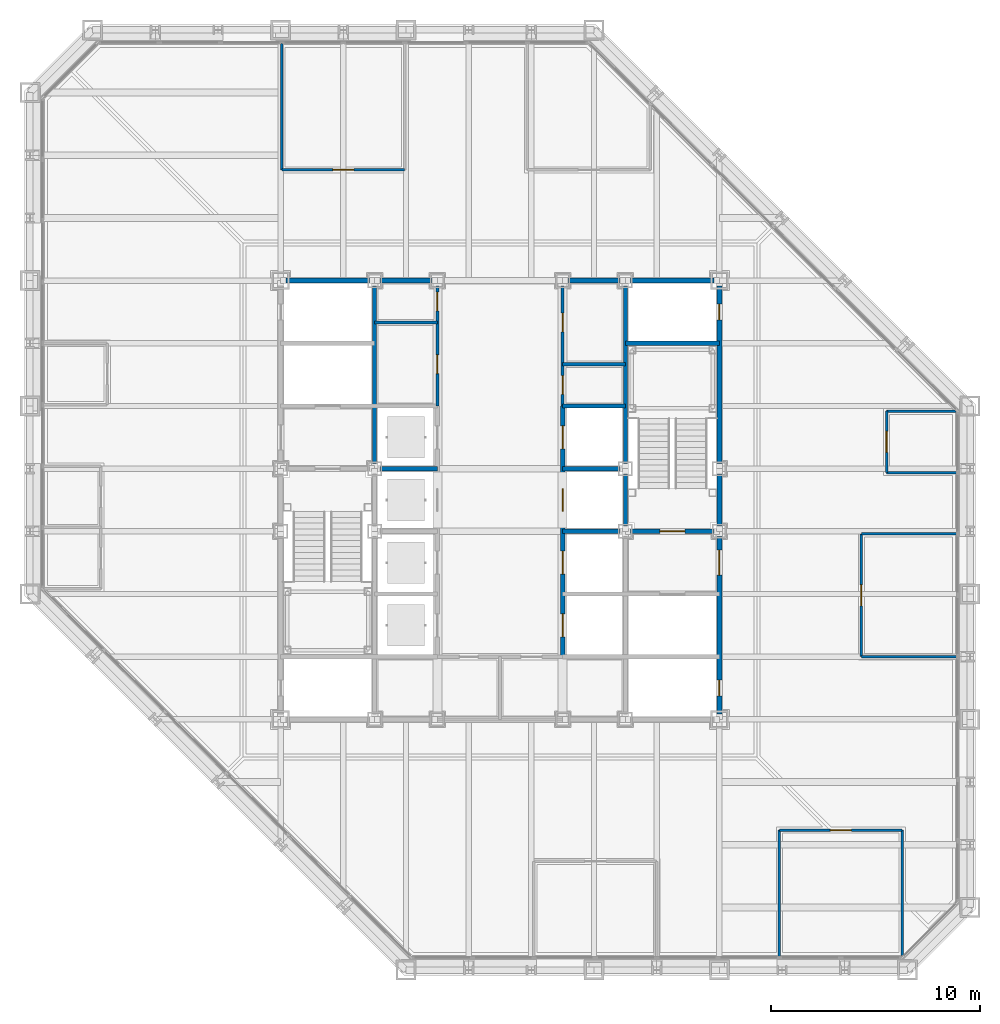
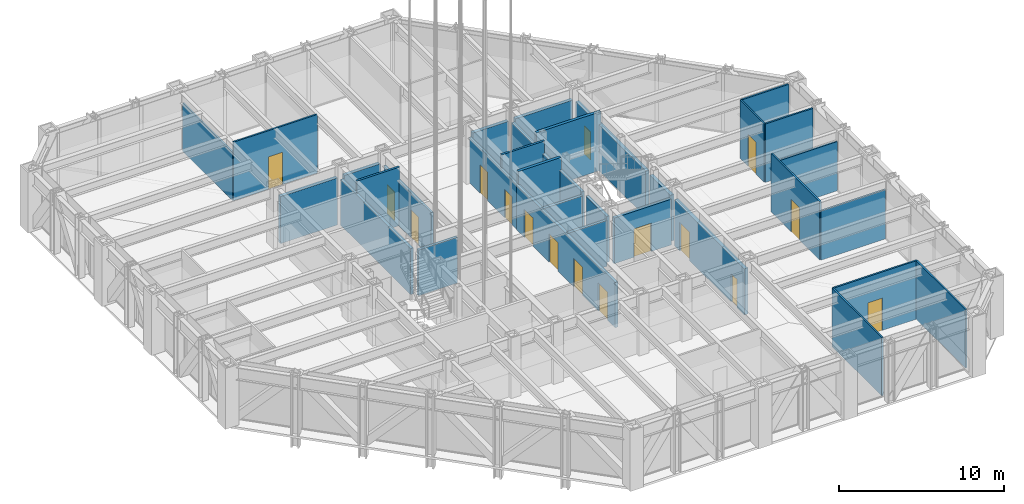
# One storey, part 11 of 26: 32 walls, 16 doors, 16 openings.
"""IFC4 building model written with IfcOpenShell, lengths in metres."""

from ifc_helpers import new_model, si_unit, direction, frame, frame_2d, origin, place, context, subcontext, project, spatial, rectangle, extrude, material, layer, layer_set, type_object, element, fill, save


model = new_model("IFC4")

# Units and contexts
model_context = context("Model", 3, precision=1e-05, world=origin(), true_north=direction((0.0, 1.0)))
body_context = subcontext(model_context, "Body", "Model", "MODEL_VIEW")
ifc_project = project(units=[si_unit("LENGTHUNIT", "METRE"), si_unit("AREAUNIT", "SQUARE_METRE"), si_unit("VOLUMEUNIT", "CUBIC_METRE"), si_unit("PLANEANGLEUNIT", "RADIAN"), si_unit("MASSUNIT", "GRAM", prefix="KILO")], contexts=[model_context])

# Site, building, storey
site_placement = place(None, origin())
site = spatial("IfcSite", under=ifc_project, at=site_placement, CompositionType="ELEMENT")
building_placement = place(site_placement, origin())
building = spatial("IfcBuilding", under=site, at=building_placement, Name="Chuquiago Exchange Tower", CompositionType="ELEMENT")
storey_placement = place(building_placement, frame((0.0, 0.0, 102.300048828125)))
storey = spatial("IfcBuildingStorey", under=building, at=storey_placement, Name="L21", CompositionType="ELEMENT", Elevation=102.300048828125)

# Walls
ifc_material_1 = material(Name="Concrete masonry, fully grouted", Category="masonry")
ifc_layer_1 = layer(ifc_material_1, 0.25)
ifc_layer_set_1 = layer_set([ifc_layer_1], Name="W1 core wall 250")
wall_type_1 = type_object("IfcWallType", Name="W1 core wall 250", PredefinedType="SOLIDWALL", material=ifc_layer_set_1)
wall_1_placement = place(storey_placement, frame((12.25, 33.0, 0.0), z_axis=(0.0, 0.0, 1.0), x_axis=(1.0, 0.0, 0.0)))
element("IfcWall", 1, at=wall_1_placement, inside=storey, type_object=wall_type_1, Name="CW-L21-11-0", PredefinedType="SOLIDWALL", context=body_context, shape_type="SweptSolid", body=[
    extrude(rectangle(XDim=4.0, YDim=0.25, at=frame_2d((2.0, 0.0))), origin(), (0.0, 0.0, 1.0), 3.4814453125),
])
for number, where, z_axis, x_axis, name in (
    (2, (16.75, 33.0, 0.0), (0.0, 0.0, 1.0), (1.0, 0.0, 0.0), "CW-L21-11-1"),
    (3, (25.75, 33.0, 0.0), (0.0, 0.0, 1.0), (1.0, 0.0, 0.0), "CW-L21-12-0"),
):
    element("IfcWall", number, at=place(storey_placement, frame(where, z_axis=z_axis, x_axis=x_axis)), inside=storey, type_object=wall_type_1, Name=name, PredefinedType="SOLIDWALL", context=body_context, shape_type="SweptSolid", body=[
        extrude(rectangle(XDim=2.5, YDim=0.25, at=frame_2d((1.25, 0.0))), origin(), (0.0, 0.0, 1.0), 3.4814453125),
    ])
wall_2_placement = place(storey_placement, frame((28.75, 33.0, 0.0), z_axis=(0.0, 0.0, 1.0), x_axis=(1.0, 0.0, 0.0)))
element("IfcWall", 4, at=wall_2_placement, inside=storey, type_object=wall_type_1, Name="CW-L21-12-1", PredefinedType="SOLIDWALL", context=body_context, shape_type="SweptSolid", body=[
    extrude(rectangle(XDim=4.0, YDim=0.25, at=frame_2d((2.0, 0.0))), origin(), (0.0, 0.0, 1.0), 3.4814453125),
])

# Wall, openings, doors
wall_3_placement = place(storey_placement, frame((33.0, 12.25, 0.0), z_axis=(0.0, 0.0, 1.0), x_axis=(0.0, 1.0, 0.0)))
wall_3 = element("IfcWall", 5, at=wall_3_placement, inside=storey, type_object=wall_type_1, Name="CW-L21-25-0", PredefinedType="SOLIDWALL", context=body_context, shape_type="SweptSolid", body=[
    extrude(rectangle(XDim=8.5, YDim=0.25, at=frame_2d((4.25, 0.0))), origin(), (0.0, 0.0, 1.0), 3.412841796875),
])
opening_1_placement = place(wall_3_placement, frame((6.64990234375, 0.0, 0.0)))
opening_1 = element("IfcOpeningElement", 6, at=opening_1_placement, cuts=wall_3, Name="Opening L21-004", PredefinedType="OPENING", context=body_context, shape_type="SweptSolid", body=[
    extrude(rectangle(XDim=1.199951171875, YDim=2.10009765625, at=frame_2d((0.60009765625, 1.050048828125))), frame((0.0, 0.135009765625, 0.0), z_axis=(0.0, -1.0, 0.0), x_axis=(1.0, 0.0, 0.0)), (0.0, 0.0, 1.0), 0.27001953125),
])
opening_2_placement = place(wall_3_placement, frame((0.875, 0.0, 0.0)))
opening_2 = element("IfcOpeningElement", 7, at=opening_2_placement, cuts=wall_3, Name="Opening L21-009", PredefinedType="OPENING", context=body_context, shape_type="SweptSolid", body=[
    extrude(rectangle(XDim=0.75, YDim=2.10009765625, at=frame_2d((0.375, 1.050048828125))), frame((0.0, 0.135009765625, 0.0), z_axis=(0.0, -1.0, 0.0), x_axis=(1.0, 0.0, 0.0)), (0.0, 0.0, 1.0), 0.27001953125),
])
ifc_material_2 = material(Name="Steel door, painted", Category="steel")
door_type_1 = type_object("IfcDoorType", Name="D5 firefighting lobby door 1200x2100", OperationType="SINGLE_SWING_LEFT", PredefinedType="DOOR", material=ifc_material_2)
door_1_placement = place(opening_1_placement, origin())
door_1 = element("IfcDoor", 8, at=door_1_placement, inside=storey, type_object=door_type_1, Name="Firefighting lobby 2 door", OperationType="SINGLE_SWING_RIGHT", OverallHeight=2.10009765625, OverallWidth=1.199951171875, PredefinedType="DOOR", context=body_context, shape_type="SweptSolid", body=[
    extrude(rectangle(XDim=1.199951171875, YDim=2.10009765625, at=frame_2d((0.60009765625, 1.050048828125))), frame((0.0, 0.02490234375, 0.0), z_axis=(0.0, -1.0, 0.0), x_axis=(1.0, 0.0, 0.0)), (0.0, 0.0, 1.0), 0.050048828125),
])
fill(opening_1, door_1)
ifc_material_3 = material(Name="Steel door, painted", Category="steel")
door_type_2 = type_object("IfcDoorType", Name="D6 riser access door 750x2100", OperationType="SINGLE_SWING_LEFT", PredefinedType="DOOR", material=ifc_material_3)
door_2_placement = place(opening_2_placement, origin())
door_2 = element("IfcDoor", 9, at=door_2_placement, inside=storey, type_object=door_type_2, Name="Riser RE1 door", OperationType="SINGLE_SWING_LEFT", OverallHeight=2.10009765625, OverallWidth=0.75, PredefinedType="DOOR", context=body_context, shape_type="SweptSolid", body=[
    extrude(rectangle(XDim=0.75, YDim=2.10009765625, at=frame_2d((0.375, 1.050048828125))), frame((0.0, 0.02490234375, 0.0), z_axis=(0.0, -1.0, 0.0), x_axis=(1.0, 0.0, 0.0)), (0.0, 0.0, 1.0), 0.050048828125),
])
fill(opening_2, door_2)

# Wall
wall_4_placement = place(storey_placement, frame((33.0, 21.25, 0.0), z_axis=(0.0, 0.0, 1.0), x_axis=(0.0, 1.0, 0.0)))
element("IfcWall", 10, at=wall_4_placement, inside=storey, type_object=wall_type_1, Name="CW-L21-25-1", PredefinedType="SOLIDWALL", context=body_context, shape_type="SweptSolid", body=[
    extrude(rectangle(XDim=2.5, YDim=0.25, at=frame_2d((1.25, 0.0))), origin(), (0.0, 0.0, 1.0), 3.412841796875),
])

# Wall, opening, door
wall_5_placement = place(storey_placement, frame((33.0, 24.25, 0.0), z_axis=(0.0, 0.0, 1.0), x_axis=(0.0, 1.0, 0.0)))
wall_5 = element("IfcWall", 11, at=wall_5_placement, inside=storey, type_object=wall_type_1, Name="CW-L21-25-2", PredefinedType="SOLIDWALL", context=body_context, shape_type="SweptSolid", body=[
    extrude(rectangle(XDim=8.5, YDim=0.25, at=frame_2d((4.25, 0.0))), origin(), (0.0, 0.0, 1.0), 3.412841796875),
])
opening_3_placement = place(wall_5_placement, frame((6.875, 0.0, 0.0)))
opening_3 = element("IfcOpeningElement", 12, at=opening_3_placement, cuts=wall_5, Name="Opening L21-010", PredefinedType="OPENING", context=body_context, shape_type="SweptSolid", body=[
    extrude(rectangle(XDim=0.75, YDim=2.10009765625, at=frame_2d((0.375, 1.050048828125))), frame((0.0, 0.135009765625, 0.0), z_axis=(0.0, -1.0, 0.0), x_axis=(1.0, 0.0, 0.0)), (0.0, 0.0, 1.0), 0.27001953125),
])
door_3_placement = place(opening_3_placement, origin())
door_3 = element("IfcDoor", 13, at=door_3_placement, inside=storey, type_object=door_type_2, Name="Riser RE2 door", OperationType="SINGLE_SWING_RIGHT", OverallHeight=2.10009765625, OverallWidth=0.75, PredefinedType="DOOR", context=body_context, shape_type="SweptSolid", body=[
    extrude(rectangle(XDim=0.75, YDim=2.10009765625, at=frame_2d((0.375, 1.050048828125))), frame((0.0, 0.02490234375, 0.0), z_axis=(0.0, -1.0, 0.0), x_axis=(1.0, 0.0, 0.0)), (0.0, 0.0, 1.0), 0.050048828125),
])
fill(opening_3, door_3)

# Walls
ifc_material_4 = material(Name="Concrete masonry, fully grouted", Category="masonry")
ifc_layer_2 = layer(ifc_material_4, 0.199951171875)
ifc_layer_set_2 = layer_set([ifc_layer_2], Name="W2 shaft wall 200")
wall_type_2 = type_object("IfcWallType", Name="W2 shaft wall 200", PredefinedType="SOLIDWALL", material=ifc_layer_set_2)
for number, where, z_axis, x_axis, name in (
    (14, (16.75, 24.0, 0.0), (0.0, 0.0, 1.0), (1.0, 0.0, 0.0), "CW-L21-05-1"),
    (15, (25.5, 24.0, 0.0), (0.0, 0.0, 1.0), (1.0, 0.0, 0.0), "CW-L21-06-0"),
):
    element("IfcWall", number, at=place(storey_placement, frame(where, z_axis=z_axis, x_axis=x_axis)), inside=storey, type_object=wall_type_2, Name=name, PredefinedType="SOLIDWALL", context=body_context, shape_type="SweptSolid", body=[
        extrude(rectangle(XDim=2.75, YDim=0.199951171875, at=frame_2d((1.375, 0.0))), origin(), (0.0, 0.0, 1.0), 3.389892578125),
    ])
wall_6_placement = place(storey_placement, frame((25.5, 27.0, 0.0), z_axis=(0.0, 0.0, 1.0), x_axis=(1.0, 0.0, 0.0)))
element("IfcWall", 16, at=wall_6_placement, inside=storey, type_object=wall_type_2, Name="CW-L21-08-0", PredefinedType="SOLIDWALL", context=body_context, shape_type="SweptSolid", body=[
    extrude(rectangle(XDim=3.0, YDim=0.199951171875, at=frame_2d((1.5, 0.0))), origin(), (0.0, 0.0, 1.0), 4.33984375),
])
wall_7_placement = place(storey_placement, frame((28.5, 30.0, 0.0), z_axis=(0.0, 0.0, 1.0), x_axis=(1.0, 0.0, 0.0)))
element("IfcWall", 17, at=wall_7_placement, inside=storey, type_object=wall_type_2, Name="CW-L21-10-0", PredefinedType="SOLIDWALL", context=body_context, shape_type="SweptSolid", body=[
    extrude(rectangle(XDim=4.5, YDim=0.199951171875, at=frame_2d((2.25, 0.0))), origin(), (0.0, 0.0, 1.0), 4.33984375),
])
wall_8_placement = place(storey_placement, frame((16.5, 24.25, 0.0), z_axis=(0.0, 0.0, 1.0), x_axis=(0.0, 1.0, 0.0)))
element("IfcWall", 18, at=wall_8_placement, inside=storey, type_object=wall_type_2, Name="CW-L21-13-2", PredefinedType="SOLIDWALL", context=body_context, shape_type="SweptSolid", body=[
    extrude(rectangle(XDim=8.5, YDim=0.199951171875, at=frame_2d((4.25, 0.0))), origin(), (0.0, 0.0, 1.0), 3.412841796875),
])
wall_9_placement = place(storey_placement, frame((25.5, 21.0, 0.0), z_axis=(0.0, 0.0, 1.0), x_axis=(1.0, 0.0, 0.0)))
element("IfcWall", 19, at=wall_9_placement, inside=storey, type_object=wall_type_2, Name="CW-L21-17-0", PredefinedType="SOLIDWALL", context=body_context, shape_type="SweptSolid", body=[
    extrude(rectangle(XDim=2.75, YDim=0.199951171875, at=frame_2d((1.375, 0.0))), origin(), (0.0, 0.0, 1.0), 3.389892578125),
])

# Wall, opening, door
wall_10_placement = place(storey_placement, frame((28.75, 21.0, 0.0), z_axis=(0.0, 0.0, 1.0), x_axis=(1.0, 0.0, 0.0)))
wall_10 = element("IfcWall", 20, at=wall_10_placement, inside=storey, type_object=wall_type_2, Name="CW-L21-17-1", PredefinedType="SOLIDWALL", context=body_context, shape_type="SweptSolid", body=[
    extrude(rectangle(XDim=4.0, YDim=0.199951171875, at=frame_2d((2.0, 0.0))), origin(), (0.0, 0.0, 1.0), 3.389892578125),
])
opening_4_placement = place(wall_10_placement, frame((1.39990234375, 0.0, 0.0)))
opening_4 = element("IfcOpeningElement", 21, at=opening_4_placement, cuts=wall_10, Name="Opening L21-003", PredefinedType="OPENING", context=body_context, shape_type="SweptSolid", body=[
    extrude(rectangle(XDim=1.199951171875, YDim=2.10009765625, at=frame_2d((0.60009765625, 1.050048828125))), frame((0.0, 0.10986328125, 0.0), z_axis=(0.0, -1.0, 0.0), x_axis=(1.0, 0.0, 0.0)), (0.0, 0.0, 1.0), 0.219970703125),
])
ifc_material_5 = material(Name="Steel door, painted", Category="steel")
door_type_3 = type_object("IfcDoorType", Name="D4 stair door 1200x2100", OperationType="SINGLE_SWING_LEFT", PredefinedType="DOOR", material=ifc_material_5)
door_4_placement = place(opening_4_placement, origin())
door_4 = element("IfcDoor", 22, at=door_4_placement, inside=storey, type_object=door_type_3, Name="Stair ST2 door", OperationType="SINGLE_SWING_LEFT", OverallHeight=2.10009765625, OverallWidth=1.199951171875, PredefinedType="DOOR", context=body_context, shape_type="SweptSolid", body=[
    extrude(rectangle(XDim=1.199951171875, YDim=2.10009765625, at=frame_2d((0.60009765625, 1.050048828125))), frame((0.0, 0.02490234375, 0.0), z_axis=(0.0, -1.0, 0.0), x_axis=(1.0, 0.0, 0.0)), (0.0, 0.0, 1.0), 0.050048828125),
])
fill(opening_4, door_4)

# Wall, openings, doors
wall_11_placement = place(storey_placement, frame((25.5, 15.0, 0.0), z_axis=(0.0, 0.0, 1.0), x_axis=(0.0, 1.0, 0.0)))
wall_11 = element("IfcWall", 23, at=wall_11_placement, inside=storey, type_object=wall_type_2, Name="CW-L21-22-0", PredefinedType="SOLIDWALL", context=body_context, shape_type="SweptSolid", body=[
    extrude(rectangle(XDim=12.0, YDim=0.199951171875, at=frame_2d((6.0, 0.0))), origin(), (0.0, 0.0, 1.0), 3.364501953125),
])
opening_5_placement = place(wall_11_placement, frame((0.949951171875, 0.0, 0.0)))
opening_5 = element("IfcOpeningElement", 24, at=opening_5_placement, cuts=wall_11, Name="Opening L21-018", PredefinedType="OPENING", context=body_context, shape_type="SweptSolid", body=[
    extrude(rectangle(XDim=1.10009765625, YDim=2.10009765625, at=frame_2d((0.550048828125, 1.050048828125))), frame((0.0, 0.10986328125, 0.0), z_axis=(0.0, -1.0, 0.0), x_axis=(1.0, 0.0, 0.0)), (0.0, 0.0, 1.0), 0.219970703125),
])
opening_6_placement = place(wall_11_placement, frame((3.949951171875, 0.0, 0.0)))
opening_6 = element("IfcOpeningElement", 25, at=opening_6_placement, cuts=wall_11, Name="Opening L21-020", PredefinedType="OPENING", context=body_context, shape_type="SweptSolid", body=[
    extrude(rectangle(XDim=1.10009765625, YDim=2.10009765625, at=frame_2d((0.550048828125, 1.050048828125))), frame((0.0, 0.10986328125, 0.0), z_axis=(0.0, -1.0, 0.0), x_axis=(1.0, 0.0, 0.0)), (0.0, 0.0, 1.0), 0.219970703125),
])
opening_7_placement = place(wall_11_placement, frame((6.949951171875, 0.0, 0.0)))
opening_7 = element("IfcOpeningElement", 26, at=opening_7_placement, cuts=wall_11, Name="Opening L21-022", PredefinedType="OPENING", context=body_context, shape_type="SweptSolid", body=[
    extrude(rectangle(XDim=1.10009765625, YDim=2.10009765625, at=frame_2d((0.550048828125, 1.050048828125))), frame((0.0, 0.10986328125, 0.0), z_axis=(0.0, -1.0, 0.0), x_axis=(1.0, 0.0, 0.0)), (0.0, 0.0, 1.0), 0.219970703125),
])
opening_8_placement = place(wall_11_placement, frame((9.949951171875, 0.0, 0.0)))
opening_8 = element("IfcOpeningElement", 27, at=opening_8_placement, cuts=wall_11, Name="Opening L21-024", PredefinedType="OPENING", context=body_context, shape_type="SweptSolid", body=[
    extrude(rectangle(XDim=1.10009765625, YDim=2.10009765625, at=frame_2d((0.550048828125, 1.050048828125))), frame((0.0, 0.10986328125, 0.0), z_axis=(0.0, -1.0, 0.0), x_axis=(1.0, 0.0, 0.0)), (0.0, 0.0, 1.0), 0.219970703125),
])
ifc_material_6 = material(Name="Stainless steel lift landing door", Category="steel")
door_type_4 = type_object("IfcDoorType", Name="LD1 lift landing door 1100x2100", OperationType="DOUBLE_DOOR_SLIDING", PredefinedType="DOOR", material=ifc_material_6)
door_5_placement = place(opening_5_placement, origin())
door_5 = element("IfcDoor", 28, at=door_5_placement, inside=storey, type_object=door_type_4, Name="Lift LS1 landing door", OperationType="DOUBLE_DOOR_SLIDING", OverallHeight=2.10009765625, OverallWidth=1.10009765625, PredefinedType="DOOR", context=body_context, shape_type="SweptSolid", body=[
    extrude(rectangle(XDim=1.10009765625, YDim=2.10009765625, at=frame_2d((0.550048828125, 1.050048828125))), frame((0.0, 0.02490234375, 0.0), z_axis=(0.0, -1.0, 0.0), x_axis=(1.0, 0.0, 0.0)), (0.0, 0.0, 1.0), 0.050048828125),
])
fill(opening_5, door_5)
door_6_placement = place(opening_6_placement, origin())
door_6 = element("IfcDoor", 29, at=door_6_placement, inside=storey, type_object=door_type_4, Name="Lift LS2 landing door", OperationType="DOUBLE_DOOR_SLIDING", OverallHeight=2.10009765625, OverallWidth=1.10009765625, PredefinedType="DOOR", context=body_context, shape_type="SweptSolid", body=[
    extrude(rectangle(XDim=1.10009765625, YDim=2.10009765625, at=frame_2d((0.550048828125, 1.050048828125))), frame((0.0, 0.02490234375, 0.0), z_axis=(0.0, -1.0, 0.0), x_axis=(1.0, 0.0, 0.0)), (0.0, 0.0, 1.0), 0.050048828125),
])
fill(opening_6, door_6)
door_7_placement = place(opening_7_placement, origin())
door_7 = element("IfcDoor", 30, at=door_7_placement, inside=storey, type_object=door_type_4, Name="Lift LS3 landing door", OperationType="DOUBLE_DOOR_SLIDING", OverallHeight=2.10009765625, OverallWidth=1.10009765625, PredefinedType="DOOR", context=body_context, shape_type="SweptSolid", body=[
    extrude(rectangle(XDim=1.10009765625, YDim=2.10009765625, at=frame_2d((0.550048828125, 1.050048828125))), frame((0.0, 0.02490234375, 0.0), z_axis=(0.0, -1.0, 0.0), x_axis=(1.0, 0.0, 0.0)), (0.0, 0.0, 1.0), 0.050048828125),
])
fill(opening_7, door_7)
door_8_placement = place(opening_8_placement, origin())
door_8 = element("IfcDoor", 31, at=door_8_placement, inside=storey, type_object=door_type_4, Name="Lift LS4 landing door", OperationType="DOUBLE_DOOR_SLIDING", OverallHeight=2.10009765625, OverallWidth=1.10009765625, PredefinedType="DOOR", context=body_context, shape_type="SweptSolid", body=[
    extrude(rectangle(XDim=1.10009765625, YDim=2.10009765625, at=frame_2d((0.550048828125, 1.050048828125))), frame((0.0, 0.02490234375, 0.0), z_axis=(0.0, -1.0, 0.0), x_axis=(1.0, 0.0, 0.0)), (0.0, 0.0, 1.0), 0.050048828125),
])
fill(opening_8, door_8)

# Walls
wall_12_placement = place(storey_placement, frame((28.5, 21.25, 0.0), z_axis=(0.0, 0.0, 1.0), x_axis=(0.0, 1.0, 0.0)))
element("IfcWall", 32, at=wall_12_placement, inside=storey, type_object=wall_type_2, Name="CW-L21-24-1", PredefinedType="SOLIDWALL", context=body_context, shape_type="SweptSolid", body=[
    extrude(rectangle(XDim=2.5, YDim=0.199951171875, at=frame_2d((1.25, 0.0))), origin(), (0.0, 0.0, 1.0), 3.412841796875),
])
wall_13_placement = place(storey_placement, frame((28.5, 24.25, 0.0), z_axis=(0.0, 0.0, 1.0), x_axis=(0.0, 1.0, 0.0)))
element("IfcWall", 33, at=wall_13_placement, inside=storey, type_object=wall_type_2, Name="CW-L21-24-2", PredefinedType="SOLIDWALL", context=body_context, shape_type="SweptSolid", body=[
    extrude(rectangle(XDim=8.5, YDim=0.199951171875, at=frame_2d((4.25, 0.0))), origin(), (0.0, 0.0, 1.0), 3.412841796875),
])

# Wall, openings, doors
ifc_material_7 = material(Name="Gypsum board on steel studs", Category="steel")
ifc_layer_3 = layer(ifc_material_7, 0.14990234375)
ifc_layer_set_3 = layer_set([ifc_layer_3], Name="W3 core partition 150")
wall_type_3 = type_object("IfcWallType", Name="W3 core partition 150", PredefinedType="PARTITIONING", material=ifc_layer_set_3)
wall_14_placement = place(storey_placement, frame((19.5, 27.0, 0.0), z_axis=(0.0, 0.0, 1.0), x_axis=(0.0, 1.0, 0.0)))
wall_14 = element("IfcWall", 34, at=wall_14_placement, inside=storey, type_object=wall_type_3, Name="CW-L21-20-0", PredefinedType="PARTITIONING", context=body_context, shape_type="SweptSolid", body=[
    extrude(rectangle(XDim=5.75, YDim=0.14990234375, at=frame_2d((2.875, 0.0))), origin(), (0.0, 0.0, 1.0), 3.364501953125),
])
opening_9_placement = place(wall_14_placement, frame((1.550048828125, 0.0, 0.0)))
opening_9 = element("IfcOpeningElement", 35, at=opening_9_placement, cuts=wall_14, Name="Opening L21-011", PredefinedType="OPENING", context=body_context, shape_type="SweptSolid", body=[
    extrude(rectangle(XDim=0.89990234375, YDim=2.10009765625, at=frame_2d((0.449951171875, 1.050048828125))), frame((0.0, 0.0849609375, 0.0), z_axis=(0.0, -1.0, 0.0), x_axis=(1.0, 0.0, 0.0)), (0.0, 0.0, 1.0), 0.169921875),
])
opening_10_placement = place(wall_14_placement, frame((4.550048828125, 0.0, 0.0)))
opening_10 = element("IfcOpeningElement", 36, at=opening_10_placement, cuts=wall_14, Name="Opening L21-012", PredefinedType="OPENING", context=body_context, shape_type="SweptSolid", body=[
    extrude(rectangle(XDim=0.89990234375, YDim=2.10009765625, at=frame_2d((0.449951171875, 1.050048828125))), frame((0.0, 0.0849609375, 0.0), z_axis=(0.0, -1.0, 0.0), x_axis=(1.0, 0.0, 0.0)), (0.0, 0.0, 1.0), 0.169921875),
])
ifc_material_8 = material(Name="Timber door, laminate faced", Category="wood")
door_type_5 = type_object("IfcDoorType", Name="D16 core room door 900x2100", OperationType="SINGLE_SWING_LEFT", PredefinedType="DOOR", material=ifc_material_8)
door_9_placement = place(opening_10_placement, origin())
door_9 = element("IfcDoor", 37, at=door_9_placement, inside=storey, type_object=door_type_5, Name="Staff shower room door", OperationType="SINGLE_SWING_RIGHT", OverallHeight=2.10009765625, OverallWidth=0.89990234375, PredefinedType="DOOR", context=body_context, shape_type="SweptSolid", body=[
    extrude(rectangle(XDim=0.89990234375, YDim=2.10009765625, at=frame_2d((0.449951171875, 1.050048828125))), frame((0.0, 0.02490234375, 0.0), z_axis=(0.0, -1.0, 0.0), x_axis=(1.0, 0.0, 0.0)), (0.0, 0.0, 1.0), 0.050048828125),
])
fill(opening_10, door_9)
ifc_material_9 = material(Name="Timber door, laminate faced", Category="wood")
door_type_6 = type_object("IfcDoorType", Name="D7 toilet door 900x2100", OperationType="SINGLE_SWING_LEFT", PredefinedType="DOOR", material=ifc_material_9)
door_10_placement = place(opening_9_placement, origin())
door_10 = element("IfcDoor", 38, at=door_10_placement, inside=storey, type_object=door_type_6, Name="Male WC door", OperationType="SINGLE_SWING_LEFT", OverallHeight=2.10009765625, OverallWidth=0.89990234375, PredefinedType="DOOR", context=body_context, shape_type="SweptSolid", body=[
    extrude(rectangle(XDim=0.89990234375, YDim=2.10009765625, at=frame_2d((0.449951171875, 1.050048828125))), frame((0.0, 0.02490234375, 0.0), z_axis=(0.0, -1.0, 0.0), x_axis=(1.0, 0.0, 0.0)), (0.0, 0.0, 1.0), 0.050048828125),
])
fill(opening_9, door_10)

wall_15_placement = place(storey_placement, frame((25.5, 27.0, 0.0), z_axis=(0.0, 0.0, 1.0), x_axis=(0.0, 1.0, 0.0)))
wall_15 = element("IfcWall", 39, at=wall_15_placement, inside=storey, type_object=wall_type_3, Name="CW-L21-23-0", PredefinedType="PARTITIONING", context=body_context, shape_type="SweptSolid", body=[
    extrude(rectangle(XDim=5.75, YDim=0.14990234375, at=frame_2d((2.875, 0.0))), origin(), (0.0, 0.0, 1.0), 3.364501953125),
])
opening_11_placement = place(wall_15_placement, frame((0.550048828125, 0.0, 0.0)))
opening_11 = element("IfcOpeningElement", 40, at=opening_11_placement, cuts=wall_15, Name="Opening L21-013", PredefinedType="OPENING", context=body_context, shape_type="SweptSolid", body=[
    extrude(rectangle(XDim=0.89990234375, YDim=2.10009765625, at=frame_2d((0.449951171875, 1.050048828125))), frame((0.0, 0.0849609375, 0.0), z_axis=(0.0, -1.0, 0.0), x_axis=(1.0, 0.0, 0.0)), (0.0, 0.0, 1.0), 0.169921875),
])
opening_12_placement = place(wall_15_placement, frame((3.550048828125, 0.0, 0.0)))
opening_12 = element("IfcOpeningElement", 41, at=opening_12_placement, cuts=wall_15, Name="Opening L21-014", PredefinedType="OPENING", context=body_context, shape_type="SweptSolid", body=[
    extrude(rectangle(XDim=0.89990234375, YDim=2.10009765625, at=frame_2d((0.449951171875, 1.050048828125))), frame((0.0, 0.0849609375, 0.0), z_axis=(0.0, -1.0, 0.0), x_axis=(1.0, 0.0, 0.0)), (0.0, 0.0, 1.0), 0.169921875),
])
door_11_placement = place(opening_11_placement, frame((0.89990234375, 0.0, 0.0), z_axis=(0.0, 0.0, 1.0), x_axis=(-1.0, 0.0, 0.0)))
door_11 = element("IfcDoor", 42, at=door_11_placement, inside=storey, type_object=door_type_5, Name="First aid room door", OperationType="SINGLE_SWING_RIGHT", OverallHeight=2.10009765625, OverallWidth=0.89990234375, PredefinedType="DOOR", context=body_context, shape_type="SweptSolid", body=[
    extrude(rectangle(XDim=0.89990234375, YDim=2.10009765625, at=frame_2d((0.449951171875, 1.050048828125))), frame((0.0, 0.02490234375, 0.0), z_axis=(0.0, -1.0, 0.0), x_axis=(1.0, 0.0, 0.0)), (0.0, 0.0, 1.0), 0.050048828125),
])
fill(opening_11, door_11)
door_12_placement = place(opening_12_placement, frame((0.89990234375, 0.0, 0.0), z_axis=(0.0, 0.0, 1.0), x_axis=(-1.0, 0.0, 0.0)))
door_12 = element("IfcDoor", 43, at=door_12_placement, inside=storey, type_object=door_type_6, Name="Female WC door", OperationType="SINGLE_SWING_LEFT", OverallHeight=2.10009765625, OverallWidth=0.89990234375, PredefinedType="DOOR", context=body_context, shape_type="SweptSolid", body=[
    extrude(rectangle(XDim=0.89990234375, YDim=2.10009765625, at=frame_2d((0.449951171875, 1.050048828125))), frame((0.0, 0.02490234375, 0.0), z_axis=(0.0, -1.0, 0.0), x_axis=(1.0, 0.0, 0.0)), (0.0, 0.0, 1.0), 0.050048828125),
])
fill(opening_12, door_12)

# Walls
for number, where, z_axis, x_axis, name in (
    (44, (16.5, 31.0, 0.0), (0.0, 0.0, 1.0), (1.0, 0.0, 0.0), "CW-L21-WCMS"),
    (45, (25.5, 29.0, 0.0), (0.0, 0.0, 1.0), (1.0, 0.0, 0.0), "CW-L21-WCFS"),
):
    element("IfcWall", number, at=place(storey_placement, frame(where, z_axis=z_axis, x_axis=x_axis)), inside=storey, type_object=wall_type_3, Name=name, PredefinedType="PARTITIONING", context=body_context, shape_type="SweptSolid", body=[
        extrude(rectangle(XDim=3.0, YDim=0.14990234375, at=frame_2d((1.5, 0.0))), origin(), (0.0, 0.0, 1.0), 4.33984375),
    ])
ifc_material_10 = material(Name="Gypsum board on steel studs", Category="steel")
ifc_layer_4 = layer(ifc_material_10, 0.1201171875)
ifc_layer_set_4 = layer_set([ifc_layer_4], Name="W4 partition 120")
wall_type_4 = type_object("IfcWallType", Name="W4 partition 120", PredefinedType="PARTITIONING", material=ifc_layer_set_4)
wall_16_placement = place(storey_placement, frame((35.875732421875, 0.652587890625, 0.0), z_axis=(0.0, 0.0, 1.0), x_axis=(0.0, 1.0, 0.0)))
element("IfcWall", 46, at=wall_16_placement, inside=storey, type_object=wall_type_4, Name="PW-L21-S03588", PredefinedType="PARTITIONING", context=body_context, shape_type="SweptSolid", body=[
    extrude(rectangle(XDim=6.04736328125, YDim=0.1201171875, at=frame_2d((3.023681640625, 0.0))), origin(), (0.0, 0.0, 1.0), 4.33984375),
])
wall_17_placement = place(storey_placement, frame((41.75146484375, 0.666015625, 0.0), z_axis=(0.0, 0.0, 1.0), x_axis=(0.0, 1.0, 0.0)))
element("IfcWall", 47, at=wall_17_placement, inside=storey, type_object=wall_type_4, Name="PW-L21-S04175", PredefinedType="PARTITIONING", context=body_context, shape_type="SweptSolid", body=[
    extrude(rectangle(XDim=6.033935546875, YDim=0.1201171875, at=frame_2d((3.01708984375, 0.0))), origin(), (0.0, 0.0, 1.0), 4.33984375),
])

# Wall, opening, door
wall_18_placement = place(storey_placement, frame((35.875732421875, 6.699951171875, 0.0), z_axis=(0.0, 0.0, 1.0), x_axis=(1.0, 0.0, 0.0)))
wall_18 = element("IfcWall", 48, at=wall_18_placement, inside=storey, type_object=wall_type_4, Name="PW-L21-SF03588", PredefinedType="PARTITIONING", context=body_context, shape_type="SweptSolid", body=[
    extrude(rectangle(XDim=5.875732421875, YDim=0.1201171875, at=frame_2d((2.93798828125, 0.0))), origin(), (0.0, 0.0, 1.0), 4.33984375),
])
opening_13_placement = place(wall_18_placement, frame((2.43798828125, 0.0, 0.0)))
opening_13 = element("IfcOpeningElement", 49, at=opening_13_placement, cuts=wall_18, Name="Opening L21-026", PredefinedType="OPENING", context=body_context, shape_type="SweptSolid", body=[
    extrude(rectangle(XDim=1.0, YDim=2.39990234375, at=frame_2d((0.5, 1.199951171875))), frame((0.0, 0.070068359375, 0.0), z_axis=(0.0, -1.0, 0.0), x_axis=(1.0, 0.0, 0.0)), (0.0, 0.0, 1.0), 0.14013671875),
])
ifc_material_11 = material(Name="Timber frame door, full height glazed panel", Category="wood")
door_type_7 = type_object("IfcDoorType", Name="D14 glazed meeting room door 1000x2400", OperationType="SINGLE_SWING_LEFT", PredefinedType="DOOR", material=ifc_material_11)
door_13_placement = place(opening_13_placement, frame((1.0, 0.0, 0.0), z_axis=(0.0, 0.0, 1.0), x_axis=(-1.0, 0.0, 0.0)))
door_13 = element("IfcDoor", 50, at=door_13_placement, inside=storey, type_object=door_type_7, Name="Conference room door", OperationType="SINGLE_SWING_LEFT", OverallHeight=2.39990234375, OverallWidth=1.0, PredefinedType="DOOR", context=body_context, shape_type="SweptSolid", body=[
    extrude(rectangle(XDim=1.0, YDim=2.39990234375, at=frame_2d((0.5, 1.199951171875))), frame((0.0, 0.02490234375, 0.0), z_axis=(0.0, -1.0, 0.0), x_axis=(1.0, 0.0, 0.0)), (0.0, 0.0, 1.0), 0.050048828125),
])
fill(opening_13, door_13)

# Walls
for number, where, z_axis, x_axis, name in (
    (51, (44.347412109375, 15.0, 0.0), (0.0, 0.0, 1.0), (-1.0, 0.0, 0.0), "PW-L21-E01500"),
    (52, (44.347412109375, 20.875732421875, 0.0), (0.0, 0.0, 1.0), (-1.0, 0.0, 0.0), "PW-L21-E02088"),
):
    element("IfcWall", number, at=place(storey_placement, frame(where, z_axis=z_axis, x_axis=x_axis)), inside=storey, type_object=wall_type_4, Name=name, PredefinedType="PARTITIONING", context=body_context, shape_type="SweptSolid", body=[
        extrude(rectangle(XDim=4.54736328125, YDim=0.1201171875, at=frame_2d((2.273681640625, 0.0))), origin(), (0.0, 0.0, 1.0), 3.65673828125),
    ])
wall_19_placement = place(storey_placement, frame((44.347412109375, 23.813720703125, 0.0), z_axis=(0.0, 0.0, 1.0), x_axis=(-1.0, 0.0, 0.0)))
element("IfcWall", 53, at=wall_19_placement, inside=storey, type_object=wall_type_4, Name="PW-L21-E02381", PredefinedType="PARTITIONING", context=body_context, shape_type="SweptSolid", body=[
    extrude(rectangle(XDim=3.347412109375, YDim=0.1201171875, at=frame_2d((1.673828125, 0.0))), origin(), (0.0, 0.0, 1.0), 4.33984375),
])
wall_20_placement = place(storey_placement, frame((44.333984375, 26.75146484375, 0.0), z_axis=(0.0, 0.0, 1.0), x_axis=(-1.0, 0.0, 0.0)))
element("IfcWall", 54, at=wall_20_placement, inside=storey, type_object=wall_type_4, Name="PW-L21-E02675", PredefinedType="PARTITIONING", context=body_context, shape_type="SweptSolid", body=[
    extrude(rectangle(XDim=3.333984375, YDim=0.1201171875, at=frame_2d((1.6669921875, 0.0))), origin(), (0.0, 0.0, 1.0), 4.33984375),
])

# Wall, opening, door
wall_21_placement = place(storey_placement, frame((39.800048828125, 15.0, 0.0), z_axis=(0.0, 0.0, 1.0), x_axis=(0.0, 1.0, 0.0)))
wall_21 = element("IfcWall", 55, at=wall_21_placement, inside=storey, type_object=wall_type_4, Name="PW-L21-EF01500", PredefinedType="PARTITIONING", context=body_context, shape_type="SweptSolid", body=[
    extrude(rectangle(XDim=5.875732421875, YDim=0.1201171875, at=frame_2d((2.93798828125, 0.0))), origin(), (0.0, 0.0, 1.0), 4.33984375),
])
opening_14_placement = place(wall_21_placement, frame((2.437744140625, 0.0, 0.0)))
opening_14 = element("IfcOpeningElement", 56, at=opening_14_placement, cuts=wall_21, Name="Opening L21-027", PredefinedType="OPENING", context=body_context, shape_type="SweptSolid", body=[
    extrude(rectangle(XDim=1.0, YDim=2.39990234375, at=frame_2d((0.5, 1.199951171875))), frame((0.0, 0.070068359375, 0.0), z_axis=(0.0, -1.0, 0.0), x_axis=(1.0, 0.0, 0.0)), (0.0, 0.0, 1.0), 0.14013671875),
])
door_14_placement = place(opening_14_placement, frame((1.0, 0.0, 0.0), z_axis=(0.0, 0.0, 1.0), x_axis=(-1.0, 0.0, 0.0)))
door_14 = element("IfcDoor", 57, at=door_14_placement, inside=storey, type_object=door_type_7, Name="Meeting room door", OperationType="SINGLE_SWING_RIGHT", OverallHeight=2.39990234375, OverallWidth=1.0, PredefinedType="DOOR", context=body_context, shape_type="SweptSolid", body=[
    extrude(rectangle(XDim=1.0, YDim=2.39990234375, at=frame_2d((0.5, 1.199951171875))), frame((0.0, 0.02490234375, 0.0), z_axis=(0.0, -1.0, 0.0), x_axis=(1.0, 0.0, 0.0)), (0.0, 0.0, 1.0), 0.050048828125),
])
fill(opening_14, door_14)

wall_22_placement = place(storey_placement, frame((41.0, 23.813720703125, 0.0), z_axis=(0.0, 0.0, 1.0), x_axis=(0.0, 1.0, 0.0)))
wall_22 = element("IfcWall", 58, at=wall_22_placement, inside=storey, type_object=wall_type_4, Name="PW-L21-EF02381", PredefinedType="PARTITIONING", context=body_context, shape_type="SweptSolid", body=[
    extrude(rectangle(XDim=2.937744140625, YDim=0.1201171875, at=frame_2d((1.46875, 0.0))), origin(), (0.0, 0.0, 1.0), 4.33984375),
])
opening_15_placement = place(wall_22_placement, frame((0.968994140625, 0.0, 0.0)))
opening_15 = element("IfcOpeningElement", 59, at=opening_15_placement, cuts=wall_22, Name="Opening L21-028", PredefinedType="OPENING", context=body_context, shape_type="SweptSolid", body=[
    extrude(rectangle(XDim=1.0, YDim=2.39990234375, at=frame_2d((0.5, 1.199951171875))), frame((0.0, 0.070068359375, 0.0), z_axis=(0.0, -1.0, 0.0), x_axis=(1.0, 0.0, 0.0)), (0.0, 0.0, 1.0), 0.14013671875),
])
ifc_material_12 = material(Name="Timber door, laminate faced", Category="wood")
door_type_8 = type_object("IfcDoorType", Name="D9 room door 1000x2400", OperationType="SINGLE_SWING_LEFT", PredefinedType="DOOR", material=ifc_material_12)
door_15_placement = place(opening_15_placement, frame((1.0, 0.0, 0.0), z_axis=(0.0, 0.0, 1.0), x_axis=(-1.0, 0.0, 0.0)))
door_15 = element("IfcDoor", 60, at=door_15_placement, inside=storey, type_object=door_type_8, Name="Pantry door", OperationType="SINGLE_SWING_RIGHT", OverallHeight=2.39990234375, OverallWidth=1.0, PredefinedType="DOOR", context=body_context, shape_type="SweptSolid", body=[
    extrude(rectangle(XDim=1.0, YDim=2.39990234375, at=frame_2d((0.5, 1.199951171875))), frame((0.0, 0.02490234375, 0.0), z_axis=(0.0, -1.0, 0.0), x_axis=(1.0, 0.0, 0.0)), (0.0, 0.0, 1.0), 0.050048828125),
])
fill(opening_15, door_15)

# Wall
wall_23_placement = place(storey_placement, frame((12.06201171875, 44.347412109375, 0.0), z_axis=(0.0, 0.0, 1.0), x_axis=(0.0, -1.0, 0.0)))
element("IfcWall", 61, at=wall_23_placement, inside=storey, type_object=wall_type_4, Name="PW-L21-N01206", PredefinedType="PARTITIONING", context=body_context, shape_type="SweptSolid", body=[
    extrude(rectangle(XDim=6.04736328125, YDim=0.1201171875, at=frame_2d((3.023681640625, 0.0))), origin(), (0.0, 0.0, 1.0), 3.5703125),
])

# Wall, opening, door
wall_24_placement = place(storey_placement, frame((12.06201171875, 38.300048828125, 0.0), z_axis=(0.0, 0.0, 1.0), x_axis=(1.0, 0.0, 0.0)))
wall_24 = element("IfcWall", 62, at=wall_24_placement, inside=storey, type_object=wall_type_4, Name="PW-L21-NF01206", PredefinedType="PARTITIONING", context=body_context, shape_type="SweptSolid", body=[
    extrude(rectangle(XDim=5.8759765625, YDim=0.1201171875, at=frame_2d((2.93798828125, 0.0))), origin(), (0.0, 0.0, 1.0), 4.33984375),
])
opening_16_placement = place(wall_24_placement, frame((2.43798828125, 0.0, 0.0)))
opening_16 = element("IfcOpeningElement", 63, at=opening_16_placement, cuts=wall_24, Name="Opening L21-029", PredefinedType="OPENING", context=body_context, shape_type="SweptSolid", body=[
    extrude(rectangle(XDim=1.0, YDim=2.39990234375, at=frame_2d((0.5, 1.199951171875))), frame((0.0, 0.070068359375, 0.0), z_axis=(0.0, -1.0, 0.0), x_axis=(1.0, 0.0, 0.0)), (0.0, 0.0, 1.0), 0.14013671875),
])
door_16_placement = place(opening_16_placement, origin())
door_16 = element("IfcDoor", 64, at=door_16_placement, inside=storey, type_object=door_type_7, Name="Conference room door", OperationType="SINGLE_SWING_LEFT", OverallHeight=2.39990234375, OverallWidth=1.0, PredefinedType="DOOR", context=body_context, shape_type="SweptSolid", body=[
    extrude(rectangle(XDim=1.0, YDim=2.39990234375, at=frame_2d((0.5, 1.199951171875))), frame((0.0, 0.02490234375, 0.0), z_axis=(0.0, -1.0, 0.0), x_axis=(1.0, 0.0, 0.0)), (0.0, 0.0, 1.0), 0.050048828125),
])
fill(opening_16, door_16)

save(model, "model.ifc")
